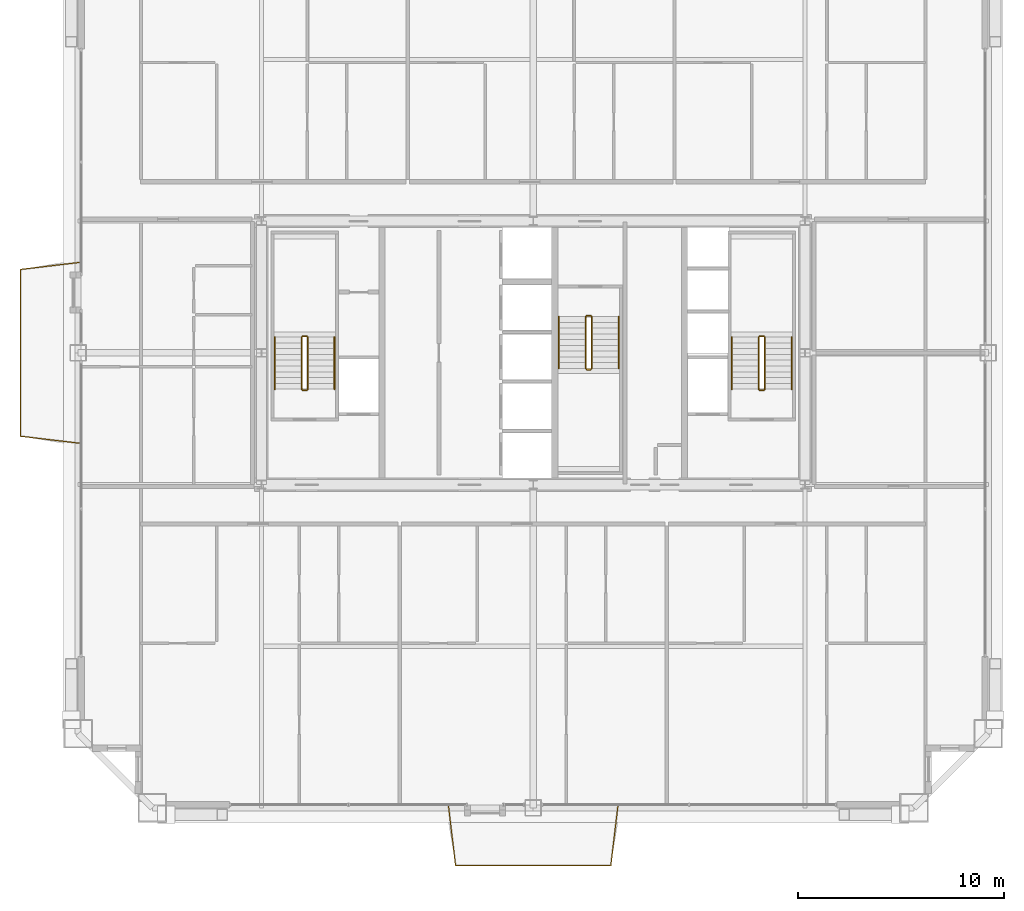
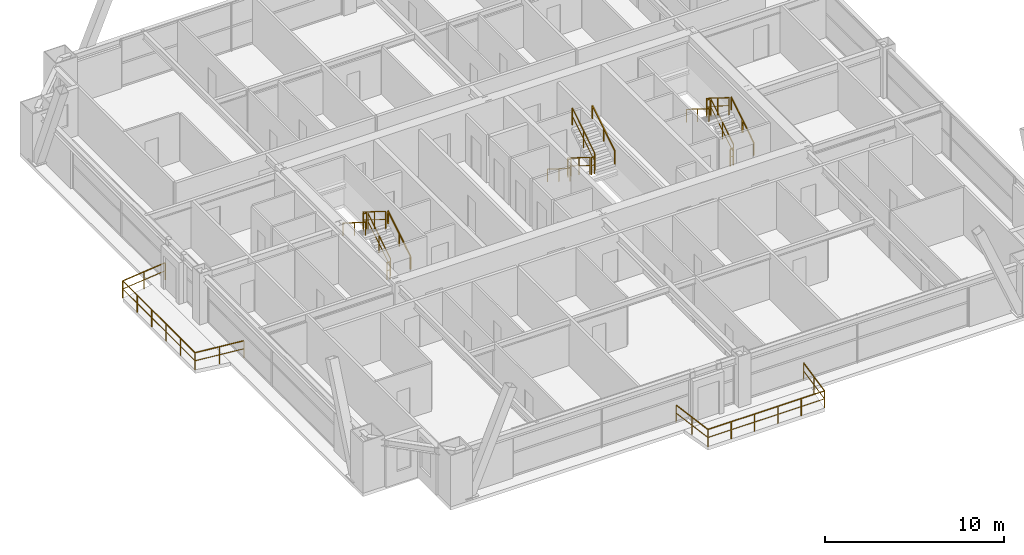
# One storey, part 42 of 42: 20 railings.
"""IFC4 building model written with IfcOpenShell, lengths in metres."""

from ifc_helpers import new_model, si_unit, direction, frame, origin, origin_2d, place, context, subcontext, project, spatial, rectangle, extrude, source, transform, mapped, material, layer, layer_set, type_object, element, save


model = new_model("IFC4")

# Units and contexts
model_context = context("Model", 3, precision=1e-05, world=origin(), true_north=direction((0.0, 1.0)))
body_context = subcontext(model_context, "Body", "Model", "MODEL_VIEW")
ifc_project = project(units=[si_unit("LENGTHUNIT", "METRE"), si_unit("AREAUNIT", "SQUARE_METRE"), si_unit("VOLUMEUNIT", "CUBIC_METRE"), si_unit("PLANEANGLEUNIT", "RADIAN"), si_unit("MASSUNIT", "GRAM", prefix="KILO"), si_unit("THERMODYNAMICTEMPERATUREUNIT", "KELVIN"), si_unit("POWERUNIT", "WATT")], contexts=[model_context])

# Site, building, storey
site_placement = place(None, origin())
site = spatial("IfcSite", under=ifc_project, at=site_placement, CompositionType="ELEMENT")
building_placement = place(site_placement, origin())
building = spatial("IfcBuilding", under=site, at=building_placement, Name="Yuzanri Waterfront Tower", CompositionType="ELEMENT")
storey_placement = place(building_placement, frame((0.0, 0.0, 205.5)))
storey = spatial("IfcBuildingStorey", under=building, at=storey_placement, Name="L54", CompositionType="ELEMENT", Elevation=205.5)

# Railings
ifc_material_1 = material(Name="Anodized Architectural Bronze", Category="metal")
ifc_layer_1 = layer(ifc_material_1, 0.080078125)
ifc_layer_set_1 = layer_set([ifc_layer_1], Name="Anodized Architectural Bronze")
railing_type_1 = type_object("IfcRailingType", Name="Laminated Glass and Bronze Balcony Guardrail 1200", PredefinedType="BALUSTRADE", material=ifc_layer_set_1)
shared_shape_1 = source(origin(), body_context, "Body", "SweptSolid", [
    extrude(rectangle(XDim=0.050048828125, YDim=0.050048828125, at=origin_2d()), frame((0.0, 0.0, 1.1748046875), z_axis=(0.117880941459, -0.993027735585, 0.0), x_axis=(0.993027735585, 0.117880941459, 0.0)), (0.0, 0.0, 1.0), 2.969970703125),
    extrude(rectangle(XDim=0.035888671875, YDim=0.030029296875, at=origin_2d()), frame((0.0, 0.0, 0.6240234375), z_axis=(0.117880941459, -0.993027735585, 0.0), x_axis=(0.993027735585, 0.117880941459, 0.0)), (0.0, 0.0, 1.0), 2.969970703125),
    extrude(rectangle(XDim=0.050048828125, YDim=0.050048828125, at=origin_2d()), frame((0.35009765625, -2.94921875, 1.1748046875), z_axis=(1.0, 0.0, 0.0), x_axis=(0.0, 1.0, 0.0)), (0.0, 0.0, 1.0), 7.541015625),
    extrude(rectangle(XDim=0.035888671875, YDim=0.030029296875, at=origin_2d()), frame((0.35009765625, -2.94921875, 0.6240234375), z_axis=(1.0, 0.0, 0.0), x_axis=(0.0, 1.0, 0.0)), (0.0, 0.0, 1.0), 7.541015625),
    extrude(rectangle(XDim=0.050048828125, YDim=0.050048828125, at=origin_2d()), frame((7.89111328125, -2.94921875, 1.1748046875), z_axis=(0.117880941459, 0.993027735585, 0.0), x_axis=(-0.993027735585, 0.117880941459, 0.0)), (0.0, 0.0, 1.0), 2.969970703125),
    extrude(rectangle(XDim=0.035888671875, YDim=0.030029296875, at=origin_2d()), frame((7.89111328125, -2.94921875, 0.6240234375), z_axis=(0.117880941459, 0.993027735585, 0.0), x_axis=(-0.993027735585, 0.117880941459, 0.0)), (0.0, 0.0, 1.0), 2.969970703125),
    extrude(rectangle(XDim=0.0458984375, YDim=0.0458984375, at=origin_2d()), origin(), (0.0, 0.0, 1.0), 1.14990234375),
    extrude(rectangle(XDim=0.0458984375, YDim=0.0458984375, at=origin_2d()), frame((0.175048828125, -1.474609375, 0.0)), (0.0, 0.0, 1.0), 1.14990234375),
    extrude(rectangle(XDim=0.0458984375, YDim=0.0458984375, at=origin_2d()), frame((0.35009765625, -2.94921875, 0.0)), (0.0, 0.0, 1.0), 1.14990234375),
    extrude(rectangle(XDim=0.0458984375, YDim=0.0458984375, at=origin_2d()), frame((1.8583984375, -2.94921875, 0.0)), (0.0, 0.0, 1.0), 1.14990234375),
    extrude(rectangle(XDim=0.0458984375, YDim=0.0458984375, at=origin_2d()), frame((3.366455078125, -2.94921875, 0.0)), (0.0, 0.0, 1.0), 1.14990234375),
    extrude(rectangle(XDim=0.0458984375, YDim=0.0458984375, at=origin_2d()), frame((4.874755859375, -2.94921875, 0.0)), (0.0, 0.0, 1.0), 1.14990234375),
    extrude(rectangle(XDim=0.0458984375, YDim=0.0458984375, at=origin_2d()), frame((6.3828125, -2.94921875, 0.0)), (0.0, 0.0, 1.0), 1.14990234375),
    extrude(rectangle(XDim=0.0458984375, YDim=0.0458984375, at=origin_2d()), frame((7.89111328125, -2.94921875, 0.0)), (0.0, 0.0, 1.0), 1.14990234375),
    extrude(rectangle(XDim=0.0458984375, YDim=0.0458984375, at=origin_2d()), frame((8.066162109375, -1.474609375, 0.0)), (0.0, 0.0, 1.0), 1.14990234375),
    extrude(rectangle(XDim=0.0458984375, YDim=0.0458984375, at=origin_2d()), frame((8.2412109375, 0.0, 0.0)), (0.0, 0.0, 1.0), 1.14990234375),
])
railing_1_placement = place(storey_placement, frame((32.87939453125, 3.85009765625, 0.0)))
element("IfcRailing", 1, at=railing_1_placement, inside=storey, type_object=railing_type_1, Name="L54 S Engawa Terrace Guardrail", PredefinedType="BALUSTRADE", context=body_context, shape_type="MappedRepresentation", body=[
    mapped(shared_shape_1, transform((0.0, 0.0, 0.0), scale=1.0)),
])
shared_shape_2 = source(origin(), body_context, "Body", "SweptSolid", [
    extrude(rectangle(XDim=0.050048828125, YDim=0.050048828125, at=origin_2d()), frame((0.0, 0.0, 1.1748046875), z_axis=(-0.993026593141, 0.117890564994, 0.0), x_axis=(-0.117890564994, -0.993026593141, 0.0)), (0.0, 0.0, 1.0), 2.9697265625),
    extrude(rectangle(XDim=0.035888671875, YDim=0.030029296875, at=origin_2d()), frame((0.0, 0.0, 0.6240234375), z_axis=(-0.993026593141, 0.117890564994, 0.0), x_axis=(-0.117890564994, -0.993026593141, 0.0)), (0.0, 0.0, 1.0), 2.9697265625),
    extrude(rectangle(XDim=0.050048828125, YDim=0.050048828125, at=origin_2d()), frame((-2.948974609375, 0.35009765625, 1.1748046875), z_axis=(0.0, 1.0, 0.0), x_axis=(-1.0, 0.0, 0.0)), (0.0, 0.0, 1.0), 8.10009765625),
    extrude(rectangle(XDim=0.035888671875, YDim=0.030029296875, at=origin_2d()), frame((-2.948974609375, 0.35009765625, 0.6240234375), z_axis=(0.0, 1.0, 0.0), x_axis=(-1.0, 0.0, 0.0)), (0.0, 0.0, 1.0), 8.10009765625),
    extrude(rectangle(XDim=0.050048828125, YDim=0.050048828125, at=origin_2d()), frame((-2.948974609375, 8.4501953125, 1.1748046875), z_axis=(0.99303621424, 0.117809495406, 0.0), x_axis=(-0.117809495406, 0.99303621424, 0.0)), (0.0, 0.0, 1.0), 2.9697265625),
    extrude(rectangle(XDim=0.035888671875, YDim=0.030029296875, at=origin_2d()), frame((-2.948974609375, 8.4501953125, 0.6240234375), z_axis=(0.99303621424, 0.117809495406, 0.0), x_axis=(-0.117809495406, 0.99303621424, 0.0)), (0.0, 0.0, 1.0), 2.9697265625),
    extrude(rectangle(XDim=0.0458984375, YDim=0.0458984375, at=origin_2d()), origin(), (0.0, 0.0, 1.0), 1.14990234375),
    extrude(rectangle(XDim=0.0458984375, YDim=0.0458984375, at=origin_2d()), frame((-1.474609375, 0.175048828125, 0.0)), (0.0, 0.0, 1.0), 1.14990234375),
    extrude(rectangle(XDim=0.0458984375, YDim=0.0458984375, at=origin_2d()), frame((-2.948974609375, 0.35009765625, 0.0)), (0.0, 0.0, 1.0), 1.14990234375),
    extrude(rectangle(XDim=0.0458984375, YDim=0.0458984375, at=origin_2d()), frame((-2.948974609375, 1.97021484375, 0.0)), (0.0, 0.0, 1.0), 1.14990234375),
    extrude(rectangle(XDim=0.0458984375, YDim=0.0458984375, at=origin_2d()), frame((-2.948974609375, 3.590087890625, 0.0)), (0.0, 0.0, 1.0), 1.14990234375),
    extrude(rectangle(XDim=0.0458984375, YDim=0.0458984375, at=origin_2d()), frame((-2.948974609375, 5.210205078125, 0.0)), (0.0, 0.0, 1.0), 1.14990234375),
    extrude(rectangle(XDim=0.0458984375, YDim=0.0458984375, at=origin_2d()), frame((-2.948974609375, 6.830078125, 0.0)), (0.0, 0.0, 1.0), 1.14990234375),
    extrude(rectangle(XDim=0.0458984375, YDim=0.0458984375, at=origin_2d()), frame((-2.948974609375, 8.4501953125, 0.0)), (0.0, 0.0, 1.0), 1.14990234375),
    extrude(rectangle(XDim=0.0458984375, YDim=0.0458984375, at=origin_2d()), frame((-1.474609375, 8.625, 0.0)), (0.0, 0.0, 1.0), 1.14990234375),
    extrude(rectangle(XDim=0.0458984375, YDim=0.0458984375, at=origin_2d()), frame((0.0, 8.800048828125, 0.0)), (0.0, 0.0, 1.0), 1.14990234375),
])
railing_2_placement = place(storey_placement, frame((15.050048828125, 21.39990234375, 0.0)))
element("IfcRailing", 2, at=railing_2_placement, inside=storey, type_object=railing_type_1, Name="L54 W Engawa Terrace Guardrail", PredefinedType="BALUSTRADE", context=body_context, shape_type="MappedRepresentation", body=[
    mapped(shared_shape_2, transform((0.0, 0.0, 0.0), scale=1.0)),
])
ifc_material_2 = material(Name="Painted Galvanized Fire Steel", Category="steel")
ifc_layer_2 = layer(ifc_material_2, 0.06005859375)
ifc_layer_set_2 = layer_set([ifc_layer_2], Name="Painted Galvanized Fire Steel")
railing_type_2 = type_object("IfcRailingType", Name="Painted Steel Stairwell Guardrail 1120", PredefinedType="GUARDRAIL", material=ifc_layer_set_2)
shared_shape_3 = source(origin(), body_context, "Body", "SweptSolid", [
    extrude(rectangle(XDim=0.050048828125, YDim=0.050048828125, at=origin_2d()), frame((0.0, 0.0, 1.1748046875), z_axis=(-1.0, 0.0, 0.0), x_axis=(0.0, -1.0, 0.0)), (0.0, 0.0, 1.0), 0.199951171875),
    extrude(rectangle(XDim=0.035888671875, YDim=0.030029296875, at=origin_2d()), frame((0.0, 0.0, 0.6240234375), z_axis=(-1.0, 0.0, 0.0), x_axis=(0.0, -1.0, 0.0)), (0.0, 0.0, 1.0), 0.199951171875),
    extrude(rectangle(XDim=0.0458984375, YDim=0.0458984375, at=origin_2d()), origin(), (0.0, 0.0, 1.0), 1.14990234375),
    extrude(rectangle(XDim=0.0458984375, YDim=0.0458984375, at=origin_2d()), frame((-0.199951171875, 0.0, 0.0)), (0.0, 0.0, 1.0), 1.14990234375),
])
for number, where, name in (
    (3, (26.0, 26.610107421875, 1.75), "L54 ST-01 stair guard 2"),
    (4, (26.0, 23.989990234375, 0.0), "L54 ST-01 stair guard 4"),
    (5, (48.199951171875, 26.610107421875, 1.75), "L54 ST-02 stair guard 2"),
    (6, (48.199951171875, 23.989990234375, 0.0), "L54 ST-02 stair guard 4"),
):
    element("IfcRailing", number, at=place(storey_placement, frame(where)), inside=storey, type_object=railing_type_2, Name=name, PredefinedType="GUARDRAIL", context=body_context, shape_type="MappedRepresentation", body=[
        mapped(shared_shape_3, transform((0.0, 0.0, 0.0), scale=1.0)),
    ])
shared_shape_4 = source(origin(), body_context, "Body", "SweptSolid", [
    extrude(rectangle(XDim=0.050048828125, YDim=0.050048828125, at=origin_2d()), frame((0.0, 0.0, 1.1748046875), z_axis=(0.0, 0.848007534815, 0.529984170421), x_axis=(-1.0, 0.0, 0.0)), (0.0, 0.0, 1.0), 2.9716796875),
    extrude(rectangle(XDim=0.035888671875, YDim=0.030029296875, at=origin_2d()), frame((0.0, 0.0, 0.6240234375), z_axis=(0.0, 0.848007534815, 0.529984170421), x_axis=(-1.0, 0.0, 0.0)), (0.0, 0.0, 1.0), 2.9716796875),
    extrude(rectangle(XDim=0.0458984375, YDim=0.0458984375, at=origin_2d()), origin(), (0.0, 0.0, 1.0), 1.14990234375),
    extrude(rectangle(XDim=0.0458984375, YDim=0.0458984375, at=origin_2d()), frame((0.0, 1.260009765625, 0.78759765625)), (0.0, 0.0, 1.0), 1.14990234375),
    extrude(rectangle(XDim=0.0458984375, YDim=0.0458984375, at=origin_2d()), frame((0.0, 2.52001953125, 1.574951171875)), (0.0, 0.0, 1.0), 1.14990234375),
])
for number, where, name in (
    (7, (26.050048828125, 24.0400390625, 0.175048828125), "L54 ST-01 stair guard 1"),
    (8, (48.25, 24.0400390625, 0.175048828125), "L54 ST-02 stair guard 1"),
    (9, (39.85009765625, 25.0400390625, 1.925048828125), "L54 ST-03 stair guard 3"),
):
    element("IfcRailing", number, at=place(storey_placement, frame(where)), inside=storey, type_object=railing_type_2, Name=name, PredefinedType="GUARDRAIL", context=body_context, shape_type="MappedRepresentation", body=[
        mapped(shared_shape_4, transform((0.0, 0.0, 0.0), scale=1.0)),
    ])
shared_shape_5 = source(origin(), body_context, "Body", "SweptSolid", [
    extrude(rectangle(XDim=0.050048828125, YDim=0.050048828125, at=origin_2d()), frame((0.0, 0.0, 1.1748046875), z_axis=(0.0, -0.848007534815, 0.529984170421), x_axis=(1.0, 0.0, 0.0)), (0.0, 0.0, 1.0), 2.9716796875),
    extrude(rectangle(XDim=0.035888671875, YDim=0.030029296875, at=origin_2d()), frame((0.0, 0.0, 0.6240234375), z_axis=(0.0, -0.848007534815, 0.529984170421), x_axis=(1.0, 0.0, 0.0)), (0.0, 0.0, 1.0), 2.9716796875),
    extrude(rectangle(XDim=0.0458984375, YDim=0.0458984375, at=origin_2d()), origin(), (0.0, 0.0, 1.0), 1.14990234375),
    extrude(rectangle(XDim=0.0458984375, YDim=0.0458984375, at=origin_2d()), frame((0.0, -1.260009765625, 0.78759765625)), (0.0, 0.0, 1.0), 1.14990234375),
    extrude(rectangle(XDim=0.0458984375, YDim=0.0458984375, at=origin_2d()), frame((0.0, -2.52001953125, 1.574951171875)), (0.0, 0.0, 1.0), 1.14990234375),
])
for number, where, name in (
    (10, (25.75, 26.56005859375, 1.925048828125), "L54 ST-01 stair guard 3"),
    (11, (47.949951171875, 26.56005859375, 1.925048828125), "L54 ST-02 stair guard 3"),
    (12, (39.550048828125, 27.56005859375, 0.175048828125), "L54 ST-03 stair guard 1"),
):
    element("IfcRailing", number, at=place(storey_placement, frame(where)), inside=storey, type_object=railing_type_2, Name=name, PredefinedType="GUARDRAIL", context=body_context, shape_type="MappedRepresentation", body=[
        mapped(shared_shape_5, transform((0.0, 0.0, 0.0), scale=1.0)),
    ])
ifc_material_3 = material(Name="Anodized Architectural Bronze", Category="metal")
ifc_layer_3 = layer(ifc_material_3, 0.050048828125)
ifc_layer_set_3 = layer_set([ifc_layer_3], Name="Anodized Architectural Bronze")
railing_type_3 = type_object("IfcRailingType", Name="Brushed Bronze Stair Pitch Handrail 920", PredefinedType="HANDRAIL", material=ifc_layer_set_3)
shared_shape_6 = source(origin(), body_context, "Body", "SweptSolid", [
    extrude(rectangle(XDim=0.050048828125, YDim=0.050048828125, at=origin_2d()), frame((0.0, 0.0, 0.875), z_axis=(0.0, 0.848007534815, 0.529984170421), x_axis=(-1.0, 0.0, 0.0)), (0.0, 0.0, 1.0), 2.9716796875),
    extrude(rectangle(XDim=0.0458984375, YDim=0.0458984375, at=origin_2d()), origin(), (0.0, 0.0, 1.0), 0.849853515625),
    extrude(rectangle(XDim=0.0458984375, YDim=0.0458984375, at=origin_2d()), frame((0.0, 1.260009765625, 0.78759765625)), (0.0, 0.0, 1.0), 0.849853515625),
    extrude(rectangle(XDim=0.0458984375, YDim=0.0458984375, at=origin_2d()), frame((0.0, 2.52001953125, 1.574951171875)), (0.0, 0.0, 1.0), 0.849853515625),
])
for number, where, name in (
    (13, (27.35009765625, 24.0400390625, 0.175048828125), "L54 ST-01 stair handrail 1"),
    (14, (49.550048828125, 24.0400390625, 0.175048828125), "L54 ST-02 stair handrail 1"),
    (15, (41.14990234375, 25.0400390625, 1.925048828125), "L54 ST-03 stair handrail 2"),
):
    element("IfcRailing", number, at=place(storey_placement, frame(where)), inside=storey, type_object=railing_type_3, Name=name, PredefinedType="HANDRAIL", context=body_context, shape_type="MappedRepresentation", body=[
        mapped(shared_shape_6, transform((0.0, 0.0, 0.0), scale=1.0)),
    ])
shared_shape_7 = source(origin(), body_context, "Body", "SweptSolid", [
    extrude(rectangle(XDim=0.050048828125, YDim=0.050048828125, at=origin_2d()), frame((0.0, 0.0, 0.875), z_axis=(0.0, -0.848007534815, 0.529984170421), x_axis=(1.0, 0.0, 0.0)), (0.0, 0.0, 1.0), 2.9716796875),
    extrude(rectangle(XDim=0.0458984375, YDim=0.0458984375, at=origin_2d()), origin(), (0.0, 0.0, 1.0), 0.849853515625),
    extrude(rectangle(XDim=0.0458984375, YDim=0.0458984375, at=origin_2d()), frame((0.0, -1.260009765625, 0.78759765625)), (0.0, 0.0, 1.0), 0.849853515625),
    extrude(rectangle(XDim=0.0458984375, YDim=0.0458984375, at=origin_2d()), frame((0.0, -2.52001953125, 1.574951171875)), (0.0, 0.0, 1.0), 0.849853515625),
])
for number, where, name in (
    (16, (24.449951171875, 26.56005859375, 1.925048828125), "L54 ST-01 stair handrail 2"),
    (17, (46.64990234375, 26.56005859375, 1.925048828125), "L54 ST-02 stair handrail 2"),
    (18, (38.25, 27.56005859375, 0.175048828125), "L54 ST-03 stair handrail 1"),
):
    element("IfcRailing", number, at=place(storey_placement, frame(where)), inside=storey, type_object=railing_type_3, Name=name, PredefinedType="HANDRAIL", context=body_context, shape_type="MappedRepresentation", body=[
        mapped(shared_shape_7, transform((0.0, 0.0, 0.0), scale=1.0)),
    ])
shared_shape_8 = source(origin(), body_context, "Body", "SweptSolid", [
    extrude(rectangle(XDim=0.050048828125, YDim=0.050048828125, at=origin_2d()), frame((0.0, 0.0, 1.1748046875), z_axis=(1.0, 0.0, 0.0), x_axis=(0.0, 1.0, 0.0)), (0.0, 0.0, 1.0), 0.199951171875),
    extrude(rectangle(XDim=0.035888671875, YDim=0.030029296875, at=origin_2d()), frame((0.0, 0.0, 0.6240234375), z_axis=(1.0, 0.0, 0.0), x_axis=(0.0, 1.0, 0.0)), (0.0, 0.0, 1.0), 0.199951171875),
    extrude(rectangle(XDim=0.0458984375, YDim=0.0458984375, at=origin_2d()), origin(), (0.0, 0.0, 1.0), 1.14990234375),
    extrude(rectangle(XDim=0.0458984375, YDim=0.0458984375, at=origin_2d()), frame((0.199951171875, 0.0, 0.0)), (0.0, 0.0, 1.0), 1.14990234375),
])
for number, where, name in (
    (19, (39.60009765625, 24.989990234375, 1.75), "L54 ST-03 stair guard 2"),
    (20, (39.60009765625, 27.610107421875, 0.0), "L54 ST-03 stair guard 4"),
):
    element("IfcRailing", number, at=place(storey_placement, frame(where)), inside=storey, type_object=railing_type_2, Name=name, PredefinedType="GUARDRAIL", context=body_context, shape_type="MappedRepresentation", body=[
        mapped(shared_shape_8, transform((0.0, 0.0, 0.0), scale=1.0)),
    ])

save(model, "model.ifc")
